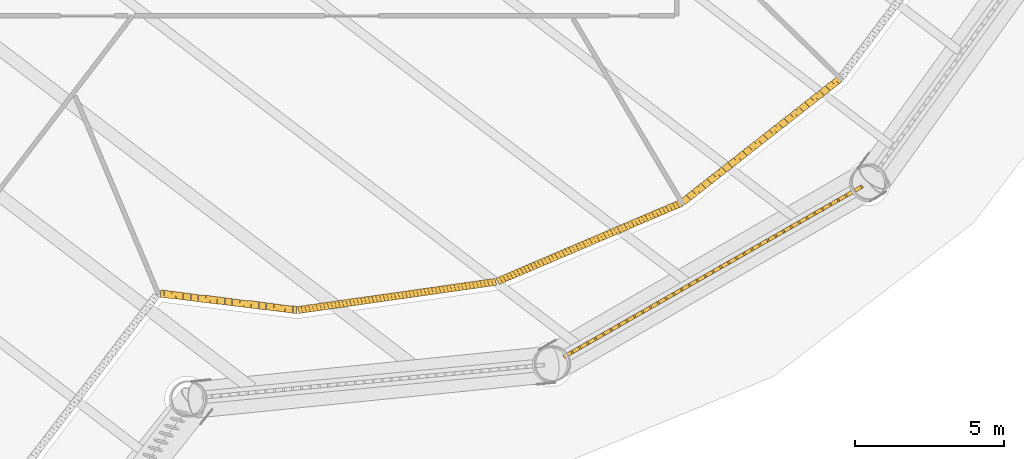
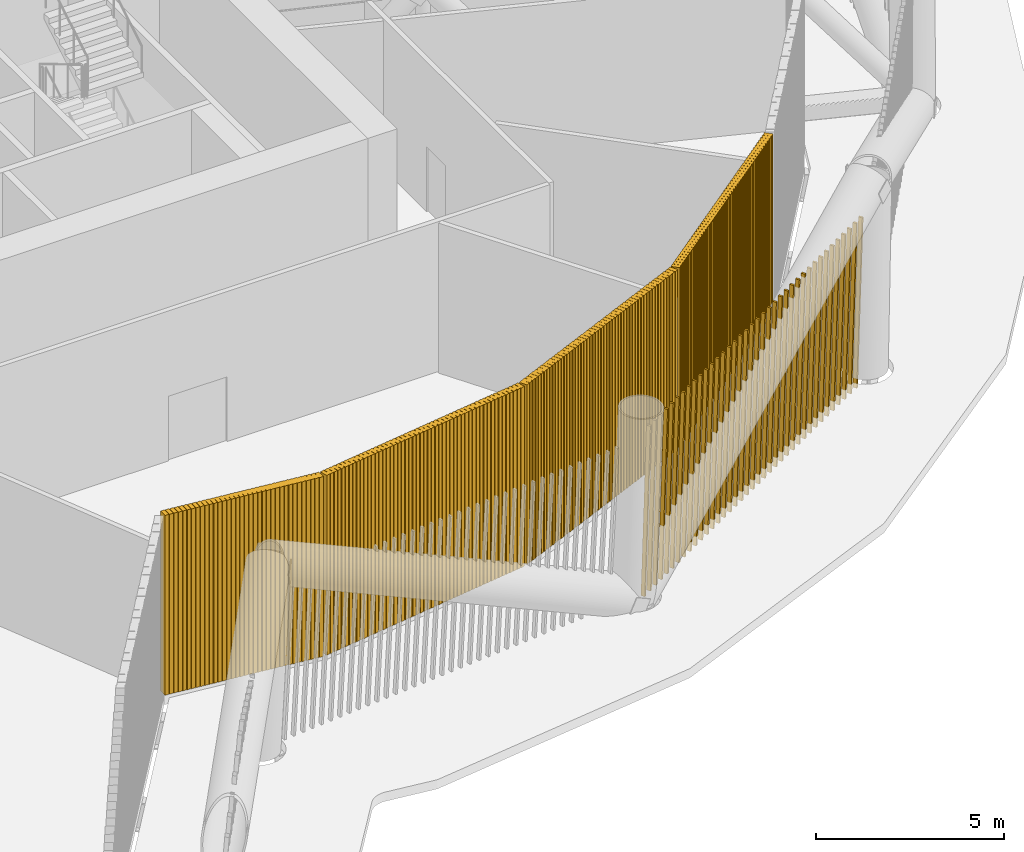
# One storey, part 38 of 48: 5 shading devices.
"""IFC4 building model written with IfcOpenShell, lengths in metres."""

import ifcopenshell
import ifcopenshell.guid

model = None  # the IFC model being written
_history = None  # IfcOwnerHistory: only IFC2X3 demands one
_inside = {}  # id of a spatial element -> (the spatial element, [elements in it])
_under = {}  # id of a project, library or spatial element -> (it, [spatial elements below it])
_declared = {}  # id of a project -> (the project, [libraries it declares])
_typed = {}  # id of a type object -> (the type object, [elements of that type])
_made_of = {}  # id of a material, layer set ... -> (it, [elements and type objects made of it])


def new_model(schema):
    """Start an empty IFC model of exactly this schema.

    Asked for "IFC4X3", IfcOpenShell would pick the latest addendum, in which some entities
    have other attributes; the version numbers below select the first issue.
    IFC2X3 requires an IfcOwnerHistory on every rooted entity: one is made here for all.
    """
    global model, _history
    if schema == "IFC4X3":
        model = ifcopenshell.file(schema_version=(4, 3, 0, 0))
    else:
        model = ifcopenshell.file(schema=schema)
    _inside.clear()
    _under.clear()
    _declared.clear()
    _typed.clear()
    _made_of.clear()
    _history = None
    if model.schema == "IFC2X3":
        org = make("IfcOrganization", Name="unknown")
        user = make(
            "IfcPersonAndOrganization",
            ThePerson=make("IfcPerson", FamilyName="unknown"),
            TheOrganization=org,
        )
        app = make(
            "IfcApplication",
            ApplicationDeveloper=org,
            Version="unknown",
            ApplicationFullName="unknown",
            ApplicationIdentifier="unknown",
        )
        _history = make(
            "IfcOwnerHistory",
            OwningUser=user,
            OwningApplication=app,
            ChangeAction="ADDED",
            CreationDate=0,
        )
    return model


def make(cls, **values):
    """One entity of the class cls with the attributes given. An attribute that is None is left unset."""
    return model.create_entity(
        cls, **{name: value for name, value in values.items() if value is not None}
    )


def rooted(cls, **values):
    """An entity with a GlobalId (a new one), such as an element, a storey or a relation."""
    return make(cls, GlobalId=ifcopenshell.guid.new(), OwnerHistory=_history, **values)


def si_unit(unit_type, name, prefix=None):
    """IfcSIUnit, for example si_unit("LENGTHUNIT", "METRE", prefix="MILLI")."""
    return make("IfcSIUnit", UnitType=unit_type, Prefix=prefix, Name=name)


def assignment(units):
    """IfcUnitAssignment: the units of a project."""
    return None if units is None else make("IfcUnitAssignment", Units=units)


def point(xyz):
    """IfcCartesianPoint."""
    return None if xyz is None else make("IfcCartesianPoint", Coordinates=xyz)


def direction(xyz):
    """IfcDirection."""
    return None if xyz is None else make("IfcDirection", DirectionRatios=xyz)


def frame(location, z_axis=None, x_axis=None):
    """IfcAxis2Placement3D, a coordinate frame: its origin and axes. An axis left out is left unset."""
    return make(
        "IfcAxis2Placement3D",
        Location=point(location),
        Axis=direction(z_axis),
        RefDirection=direction(x_axis),
    )


def frame_2d(location, x_axis=None):
    """IfcAxis2Placement2D, a coordinate frame in the plane: its origin and x axis."""
    return make(
        "IfcAxis2Placement2D", Location=point(location), RefDirection=direction(x_axis)
    )


def origin():
    """The frame at (0, 0, 0) with its axes left unset."""
    return frame((0.0, 0.0, 0.0))


def place(relative_to, where):
    """IfcLocalPlacement: puts the frame where relative to a parent placement (None: the world)."""
    return make(
        "IfcLocalPlacement", PlacementRelTo=relative_to, RelativePlacement=where
    )


def context(
    kind, dimensions, precision=None, world=None, true_north=None, identifier=None
):
    """IfcGeometricRepresentationContext, for example the 3D "Model" context."""
    return make(
        "IfcGeometricRepresentationContext",
        ContextIdentifier=identifier,
        ContextType=kind,
        CoordinateSpaceDimension=dimensions,
        Precision=precision,
        WorldCoordinateSystem=world,
        TrueNorth=true_north,
    )


def subcontext(parent, identifier, kind, view, scale=None):
    """IfcGeometricRepresentationSubContext, for example "Body" below "Model"."""
    return make(
        "IfcGeometricRepresentationSubContext",
        ContextIdentifier=identifier,
        ContextType=kind,
        ParentContext=parent,
        TargetScale=scale,
        TargetView=view,
    )


def project(units=None, contexts=None):
    """IfcProject with its units and contexts."""
    return rooted(
        "IfcProject",
        Name="project",
        RepresentationContexts=contexts,
        UnitsInContext=assignment(units),
    )


def spatial(cls, under=None, at=None, **own):
    """A site, building, storey or space (cls), placed at a placement, below another one or the project."""
    s = rooted(cls, ObjectPlacement=at, **own)
    if under is not None:
        _under.setdefault(under.id(), (under, []))[1].append(s)
    return s


def profile(cls, at=None, kind="AREA", **sizes):
    """A parametric profile (cls). Its sizes go by their IFC names, for example OverallWidth=200.0."""
    return make(cls, ProfileType=kind, Position=at, **sizes)


def rectangle(**sizes):
    """IfcRectangleProfileDef."""
    return profile("IfcRectangleProfileDef", **sizes)


def composite_profile(profiles, kind="AREA"):
    """IfcCompositeProfileDef: several profiles as one."""
    return make("IfcCompositeProfileDef", ProfileType=kind, Profiles=profiles)


def extrude(swept, where, along, depth):
    """IfcExtrudedAreaSolid: the profile swept, set in the frame where, extruded along a direction by depth."""
    return make(
        "IfcExtrudedAreaSolid",
        SweptArea=swept,
        Position=where,
        ExtrudedDirection=direction(along),
        Depth=depth,
    )


def shape(context_of_items, identifier, shape_type, items):
    """IfcShapeRepresentation: the items that make up one representation, for example the "Body"."""
    return make(
        "IfcShapeRepresentation",
        ContextOfItems=context_of_items,
        RepresentationIdentifier=identifier,
        RepresentationType=shape_type,
        Items=items,
    )


def material(Name=None, Category=None):
    """IfcMaterial."""
    return make("IfcMaterial", Name=Name, Category=Category)


def made_of(thing, what):
    """Note that an element or type object is made of a material, layer set ...; save() writes the relation."""
    if what is not None:
        _made_of.setdefault(what.id(), (what, []))[1].append(thing)
    return thing


def type_object(cls, material=None, **own):
    """A type object (cls), such as IfcWallType, which elements share."""
    return made_of(rooted(cls, **own), material)


def element(
    cls,
    number,
    at=None,
    inside=None,
    cuts=None,
    type_object=None,
    material=None,
    context=None,
    identifier="Body",
    shape_type=None,
    held_by="IfcProductDefinitionShape",
    body=None,
    shapes=None,
    **own,
):
    """One element of the class cls, such as IfcWall. Its Tag is "e" and its number.

    at: its placement. inside: the storey or other place that contains it. cuts: it is an
    opening in that element (IfcRelVoidsElement). A single representation is given by context,
    identifier, shape_type and body (its items); several are given by shapes. held_by: the class
    of the entity that holds the representations. save() writes the other relations.
    """
    e = rooted(cls, Tag="e%d" % number, ObjectPlacement=at, **own)
    if body is not None:
        shapes = [shape(context, identifier, shape_type, body)]
    if shapes is not None:
        e.Representation = make(held_by, Representations=shapes)
    if inside is not None:
        _inside.setdefault(inside.id(), (inside, []))[1].append(e)
    if cuts is not None:
        rooted(
            "IfcRelVoidsElement", RelatingBuildingElement=cuts, RelatedOpeningElement=e
        )
    if type_object is not None:
        _typed.setdefault(type_object.id(), (type_object, []))[1].append(e)
    return made_of(e, material)


def aggregate(whole, parts):
    """IfcRelAggregates: a whole, such as a stair, and the parts it consists of."""
    return rooted("IfcRelAggregates", RelatingObject=whole, RelatedObjects=parts)


def save(model, path):
    """Write the relations noted so far, then the file.

    IfcRelAggregates (storeys below a building ...), IfcRelContainedInSpatialStructure (elements
    in a storey), IfcRelDefinesByType, IfcRelAssociatesMaterial and IfcRelDeclares: one each for
    every whole, place, type object, material and project.
    """
    for whole, parts in _under.values():
        aggregate(whole, parts)
    for where, things in _inside.values():
        rooted(
            "IfcRelContainedInSpatialStructure",
            RelatedElements=things,
            RelatingStructure=where,
        )
    for kind, things in _typed.values():
        rooted("IfcRelDefinesByType", RelatedObjects=things, RelatingType=kind)
    for what, things in _made_of.values():
        rooted("IfcRelAssociatesMaterial", RelatedObjects=things, RelatingMaterial=what)
    for by, libraries in _declared.values():
        rooted("IfcRelDeclares", RelatingContext=by, RelatedDefinitions=libraries)
    model.write(path)


model = new_model("IFC4")

# Units and contexts
model_context = context("Model", 3, precision=1e-05, world=origin(), true_north=direction((0.0, 1.0)))
body_context = subcontext(model_context, "Body", "Model", "MODEL_VIEW")
ifc_project = project(units=[si_unit("LENGTHUNIT", "METRE"), si_unit("AREAUNIT", "SQUARE_METRE"), si_unit("VOLUMEUNIT", "CUBIC_METRE"), si_unit("PLANEANGLEUNIT", "RADIAN"), si_unit("MASSUNIT", "GRAM", prefix="KILO")], contexts=[model_context])

# Site, building, storey
site_placement = place(None, origin())
site = spatial("IfcSite", under=ifc_project, at=site_placement, CompositionType="ELEMENT")
building_placement = place(site_placement, origin())
building = spatial("IfcBuilding", under=site, at=building_placement, Name="Tarsis Ring Headquarters", CompositionType="ELEMENT")
storey_placement = place(building_placement, frame((0.0, 0.0, 34.0)))
storey = spatial("IfcBuildingStorey", under=building, at=storey_placement, Name="L06", CompositionType="ELEMENT", Elevation=34.0)

# Shading devices
ifc_material_1 = material(Name="Aluminium louvre", Category="aluminium")
shading_device_type_1 = type_object("IfcShadingDeviceType", Name="Plant louvre fin", PredefinedType="USERDEFINED", material=ifc_material_1)
shading_device_1_placement = place(storey_placement, frame((-4.329833984375, -25.315673828125, 0.0), z_axis=(0.0, 0.0, 1.0), x_axis=(0.992757071108, -0.120169177901, 0.0)))
element("IfcShadingDevice", 1, at=shading_device_1_placement, inside=storey, type_object=shading_device_type_1, Name="Louvre L06-17", ObjectType="Louvre", PredefinedType="USERDEFINED", context=body_context, shape_type="SweptSolid", body=[
    extrude(composite_profile([rectangle(XDim=0.1201171875, YDim=0.239990234375, at=frame_2d((0.076171875, 0.0), x_axis=(0.990268068742, 0.13917310096))), rectangle(XDim=0.1201171875, YDim=0.239990234375, at=frame_2d((0.203857421875, 0.0), x_axis=(0.990268068742, 0.13917310096))), rectangle(XDim=0.1201171875, YDim=0.239990234375, at=frame_2d((0.331298828125, 0.0), x_axis=(0.990268068742, 0.13917310096))), rectangle(XDim=0.1201171875, YDim=0.239990234375, at=frame_2d((0.458984375, 0.0), x_axis=(0.990268068742, 0.13917310096))), rectangle(XDim=0.1201171875, YDim=0.239990234375, at=frame_2d((0.58642578125, 0.0), x_axis=(0.990268068742, 0.13917310096))), rectangle(XDim=0.1201171875, YDim=0.239990234375, at=frame_2d((0.714111328125, 0.0), x_axis=(0.990268068742, 0.13917310096))), rectangle(XDim=0.1201171875, YDim=0.239990234375, at=frame_2d((0.841796875, 0.0), x_axis=(0.990268068742, 0.13917310096))), rectangle(XDim=0.1201171875, YDim=0.239990234375, at=frame_2d((0.96923828125, 0.0), x_axis=(0.990268068742, 0.13917310096))), rectangle(XDim=0.1201171875, YDim=0.239990234375, at=frame_2d((1.096923828125, 0.0), x_axis=(0.990268068742, 0.13917310096))), rectangle(XDim=0.1201171875, YDim=0.239990234375, at=frame_2d((1.224365234375, 0.0), x_axis=(0.990268068742, 0.13917310096))), rectangle(XDim=0.1201171875, YDim=0.239990234375, at=frame_2d((1.35205078125, 0.0), x_axis=(0.990268068742, 0.13917310096))), rectangle(XDim=0.1201171875, YDim=0.239990234375, at=frame_2d((1.479736328125, 0.0), x_axis=(0.990268068742, 0.13917310096))), rectangle(XDim=0.1201171875, YDim=0.239990234375, at=frame_2d((1.607177734375, 0.0), x_axis=(0.990268068742, 0.13917310096))), rectangle(XDim=0.1201171875, YDim=0.239990234375, at=frame_2d((1.73486328125, 0.0), x_axis=(0.990268068742, 0.13917310096))), rectangle(XDim=0.1201171875, YDim=0.239990234375, at=frame_2d((1.8623046875, 0.0), x_axis=(0.990268068742, 0.13917310096))), rectangle(XDim=0.1201171875, YDim=0.239990234375, at=frame_2d((1.989990234375, 0.0), x_axis=(0.990268068742, 0.13917310096))), rectangle(XDim=0.1201171875, YDim=0.239990234375, at=frame_2d((2.11767578125, 0.0), x_axis=(0.990268068742, 0.13917310096))), rectangle(XDim=0.1201171875, YDim=0.239990234375, at=frame_2d((2.2451171875, 0.0), x_axis=(0.990268068742, 0.13917310096))), rectangle(XDim=0.1201171875, YDim=0.239990234375, at=frame_2d((2.372802734375, 0.0), x_axis=(0.990268068742, 0.13917310096))), rectangle(XDim=0.1201171875, YDim=0.239990234375, at=frame_2d((2.500244140625, 0.0), x_axis=(0.990268068742, 0.13917310096))), rectangle(XDim=0.1201171875, YDim=0.239990234375, at=frame_2d((2.6279296875, 0.0), x_axis=(0.990268068742, 0.13917310096))), rectangle(XDim=0.1201171875, YDim=0.239990234375, at=frame_2d((2.755615234375, 0.0), x_axis=(0.990268068742, 0.13917310096))), rectangle(XDim=0.1201171875, YDim=0.239990234375, at=frame_2d((2.883056640625, 0.0), x_axis=(0.990268068742, 0.13917310096))), rectangle(XDim=0.1201171875, YDim=0.239990234375, at=frame_2d((3.0107421875, 0.0), x_axis=(0.990268068742, 0.13917310096))), rectangle(XDim=0.1201171875, YDim=0.239990234375, at=frame_2d((3.13818359375, 0.0), x_axis=(0.990268068742, 0.13917310096))), rectangle(XDim=0.1201171875, YDim=0.239990234375, at=frame_2d((3.265869140625, 0.0), x_axis=(0.990268068742, 0.13917310096))), rectangle(XDim=0.1201171875, YDim=0.239990234375, at=frame_2d((3.3935546875, 0.0), x_axis=(0.990268068742, 0.13917310096))), rectangle(XDim=0.1201171875, YDim=0.239990234375, at=frame_2d((3.52099609375, 0.0), x_axis=(0.990268068742, 0.13917310096))), rectangle(XDim=0.1201171875, YDim=0.239990234375, at=frame_2d((3.648681640625, 0.0), x_axis=(0.990268068742, 0.13917310096))), rectangle(XDim=0.1201171875, YDim=0.239990234375, at=frame_2d((3.776123046875, 0.0), x_axis=(0.990268068742, 0.13917310096))), rectangle(XDim=0.1201171875, YDim=0.239990234375, at=frame_2d((3.90380859375, 0.0), x_axis=(0.990268068742, 0.13917310096))), rectangle(XDim=0.1201171875, YDim=0.239990234375, at=frame_2d((4.031494140625, 0.0), x_axis=(0.990268068742, 0.13917310096))), rectangle(XDim=0.1201171875, YDim=0.239990234375, at=frame_2d((4.158935546875, 0.0), x_axis=(0.990268068742, 0.13917310096))), rectangle(XDim=0.1201171875, YDim=0.239990234375, at=frame_2d((4.28662109375, 0.0), x_axis=(0.990268068742, 0.13917310096))), rectangle(XDim=0.1201171875, YDim=0.239990234375, at=frame_2d((4.4140625, 0.0), x_axis=(0.990268068742, 0.13917310096))), rectangle(XDim=0.1201171875, YDim=0.239990234375, at=frame_2d((4.541748046875, 0.0), x_axis=(0.990268068742, 0.13917310096)))]), origin(), (0.0, 0.0, 1.0), 5.840087890625),
])
shading_device_2_placement = place(storey_placement, frame((0.287353515625, -25.8701171875, 0.0), z_axis=(0.0, 0.0, 1.0), x_axis=(0.990011260034, 0.140895717555, 0.0)))
element("IfcShadingDevice", 2, at=shading_device_2_placement, inside=storey, type_object=shading_device_type_1, Name="Louvre L06-18", ObjectType="Louvre", PredefinedType="USERDEFINED", context=body_context, shape_type="SweptSolid", body=[
    extrude(composite_profile([rectangle(XDim=0.1201171875, YDim=0.239990234375, at=frame_2d((0.076171875, 0.0), x_axis=(0.990268068742, 0.13917310096))), rectangle(XDim=0.1201171875, YDim=0.239990234375, at=frame_2d((0.202392578125, 0.0), x_axis=(0.990268068742, 0.13917310096))), rectangle(XDim=0.1201171875, YDim=0.239990234375, at=frame_2d((0.328857421875, 0.0), x_axis=(0.990268068742, 0.13917310096))), rectangle(XDim=0.1201171875, YDim=0.239990234375, at=frame_2d((0.455078125, 0.0), x_axis=(0.990268068742, 0.13917310096))), rectangle(XDim=0.1201171875, YDim=0.239990234375, at=frame_2d((0.58154296875, 0.0), x_axis=(0.990268068742, 0.13917310096))), rectangle(XDim=0.1201171875, YDim=0.239990234375, at=frame_2d((0.707763671875, 0.0), x_axis=(0.990268068742, 0.13917310096))), rectangle(XDim=0.1201171875, YDim=0.239990234375, at=frame_2d((0.834228515625, 0.0), x_axis=(0.990268068742, 0.13917310096))), rectangle(XDim=0.1201171875, YDim=0.239990234375, at=frame_2d((0.96044921875, 0.0), x_axis=(0.990268068742, 0.13917310096))), rectangle(XDim=0.1201171875, YDim=0.239990234375, at=frame_2d((1.0869140625, 0.0), x_axis=(0.990268068742, 0.13917310096))), rectangle(XDim=0.1201171875, YDim=0.239990234375, at=frame_2d((1.213134765625, 0.0), x_axis=(0.990268068742, 0.13917310096))), rectangle(XDim=0.1201171875, YDim=0.239990234375, at=frame_2d((1.33935546875, 0.0), x_axis=(0.990268068742, 0.13917310096))), rectangle(XDim=0.1201171875, YDim=0.239990234375, at=frame_2d((1.4658203125, 0.0), x_axis=(0.990268068742, 0.13917310096))), rectangle(XDim=0.1201171875, YDim=0.239990234375, at=frame_2d((1.592041015625, 0.0), x_axis=(0.990268068742, 0.13917310096))), rectangle(XDim=0.1201171875, YDim=0.239990234375, at=frame_2d((1.718505859375, 0.0), x_axis=(0.990268068742, 0.13917310096))), rectangle(XDim=0.1201171875, YDim=0.239990234375, at=frame_2d((1.8447265625, 0.0), x_axis=(0.990268068742, 0.13917310096))), rectangle(XDim=0.1201171875, YDim=0.239990234375, at=frame_2d((1.97119140625, 0.0), x_axis=(0.990268068742, 0.13917310096))), rectangle(XDim=0.1201171875, YDim=0.239990234375, at=frame_2d((2.097412109375, 0.0), x_axis=(0.990268068742, 0.13917310096))), rectangle(XDim=0.1201171875, YDim=0.239990234375, at=frame_2d((2.223876953125, 0.0), x_axis=(0.990268068742, 0.13917310096))), rectangle(XDim=0.1201171875, YDim=0.239990234375, at=frame_2d((2.35009765625, 0.0), x_axis=(0.990268068742, 0.13917310096))), rectangle(XDim=0.1201171875, YDim=0.239990234375, at=frame_2d((2.476318359375, 0.0), x_axis=(0.990268068742, 0.13917310096))), rectangle(XDim=0.1201171875, YDim=0.239990234375, at=frame_2d((2.602783203125, 0.0), x_axis=(0.990268068742, 0.13917310096))), rectangle(XDim=0.1201171875, YDim=0.239990234375, at=frame_2d((2.72900390625, 0.0), x_axis=(0.990268068742, 0.13917310096))), rectangle(XDim=0.1201171875, YDim=0.239990234375, at=frame_2d((2.85546875, 0.0), x_axis=(0.990268068742, 0.13917310096))), rectangle(XDim=0.1201171875, YDim=0.239990234375, at=frame_2d((2.981689453125, 0.0), x_axis=(0.990268068742, 0.13917310096))), rectangle(XDim=0.1201171875, YDim=0.239990234375, at=frame_2d((3.108154296875, 0.0), x_axis=(0.990268068742, 0.13917310096))), rectangle(XDim=0.1201171875, YDim=0.239990234375, at=frame_2d((3.234375, 0.0), x_axis=(0.990268068742, 0.13917310096))), rectangle(XDim=0.1201171875, YDim=0.239990234375, at=frame_2d((3.36083984375, 0.0), x_axis=(0.990268068742, 0.13917310096))), rectangle(XDim=0.1201171875, YDim=0.239990234375, at=frame_2d((3.487060546875, 0.0), x_axis=(0.990268068742, 0.13917310096))), rectangle(XDim=0.1201171875, YDim=0.239990234375, at=frame_2d((3.61328125, 0.0), x_axis=(0.990268068742, 0.13917310096))), rectangle(XDim=0.1201171875, YDim=0.239990234375, at=frame_2d((3.73974609375, 0.0), x_axis=(0.990268068742, 0.13917310096))), rectangle(XDim=0.1201171875, YDim=0.239990234375, at=frame_2d((3.865966796875, 0.0), x_axis=(0.990268068742, 0.13917310096))), rectangle(XDim=0.1201171875, YDim=0.239990234375, at=frame_2d((3.992431640625, 0.0), x_axis=(0.990268068742, 0.13917310096))), rectangle(XDim=0.1201171875, YDim=0.239990234375, at=frame_2d((4.11865234375, 0.0), x_axis=(0.990268068742, 0.13917310096))), rectangle(XDim=0.1201171875, YDim=0.239990234375, at=frame_2d((4.2451171875, 0.0), x_axis=(0.990268068742, 0.13917310096))), rectangle(XDim=0.1201171875, YDim=0.239990234375, at=frame_2d((4.371337890625, 0.0), x_axis=(0.990268068742, 0.13917310096))), rectangle(XDim=0.1201171875, YDim=0.239990234375, at=frame_2d((4.49755859375, 0.0), x_axis=(0.990268068742, 0.13917310096))), rectangle(XDim=0.1201171875, YDim=0.239990234375, at=frame_2d((4.6240234375, 0.0), x_axis=(0.990268068742, 0.13917310096))), rectangle(XDim=0.1201171875, YDim=0.239990234375, at=frame_2d((4.750244140625, 0.0), x_axis=(0.990268068742, 0.13917310096))), rectangle(XDim=0.1201171875, YDim=0.239990234375, at=frame_2d((4.876708984375, 0.0), x_axis=(0.990268068742, 0.13917310096))), rectangle(XDim=0.1201171875, YDim=0.239990234375, at=frame_2d((5.0029296875, 0.0), x_axis=(0.990268068742, 0.13917310096))), rectangle(XDim=0.1201171875, YDim=0.239990234375, at=frame_2d((5.12939453125, 0.0), x_axis=(0.990268068742, 0.13917310096))), rectangle(XDim=0.1201171875, YDim=0.239990234375, at=frame_2d((5.255615234375, 0.0), x_axis=(0.990268068742, 0.13917310096))), rectangle(XDim=0.1201171875, YDim=0.239990234375, at=frame_2d((5.382080078125, 0.0), x_axis=(0.990268068742, 0.13917310096))), rectangle(XDim=0.1201171875, YDim=0.239990234375, at=frame_2d((5.50830078125, 0.0), x_axis=(0.990268068742, 0.13917310096))), rectangle(XDim=0.1201171875, YDim=0.239990234375, at=frame_2d((5.634521484375, 0.0), x_axis=(0.990268068742, 0.13917310096))), rectangle(XDim=0.1201171875, YDim=0.239990234375, at=frame_2d((5.760986328125, 0.0), x_axis=(0.990268068742, 0.13917310096))), rectangle(XDim=0.1201171875, YDim=0.239990234375, at=frame_2d((5.88720703125, 0.0), x_axis=(0.990268068742, 0.13917310096))), rectangle(XDim=0.1201171875, YDim=0.239990234375, at=frame_2d((6.013671875, 0.0), x_axis=(0.990268068742, 0.13917310096))), rectangle(XDim=0.1201171875, YDim=0.239990234375, at=frame_2d((6.139892578125, 0.0), x_axis=(0.990268068742, 0.13917310096))), rectangle(XDim=0.1201171875, YDim=0.239990234375, at=frame_2d((6.266357421875, 0.0), x_axis=(0.990268068742, 0.13917310096))), rectangle(XDim=0.1201171875, YDim=0.239990234375, at=frame_2d((6.392578125, 0.0), x_axis=(0.990268068742, 0.13917310096))), rectangle(XDim=0.1201171875, YDim=0.239990234375, at=frame_2d((6.51904296875, 0.0), x_axis=(0.990268068742, 0.13917310096))), rectangle(XDim=0.1201171875, YDim=0.239990234375, at=frame_2d((6.645263671875, 0.0), x_axis=(0.990268068742, 0.13917310096)))]), origin(), (0.0, 0.0, 1.0), 5.840087890625),
])
shading_device_3_placement = place(storey_placement, frame((6.97314453125, -24.914306640625, 0.0), z_axis=(0.0, 0.0, 1.0), x_axis=(0.919835821438, 0.392321383168, 0.0)))
element("IfcShadingDevice", 3, at=shading_device_3_placement, inside=storey, type_object=shading_device_type_1, Name="Louvre L06-19", ObjectType="Louvre", PredefinedType="USERDEFINED", context=body_context, shape_type="SweptSolid", body=[
    extrude(composite_profile([rectangle(XDim=0.1201171875, YDim=0.239990234375, at=frame_2d((0.076171875, 0.0), x_axis=(0.990268068742, 0.13917310096))), rectangle(XDim=0.1201171875, YDim=0.239990234375, at=frame_2d((0.202392578125, 0.0), x_axis=(0.990268068742, 0.13917310096))), rectangle(XDim=0.1201171875, YDim=0.239990234375, at=frame_2d((0.328857421875, 0.0), x_axis=(0.990268068742, 0.13917310096))), rectangle(XDim=0.1201171875, YDim=0.239990234375, at=frame_2d((0.455078125, 0.0), x_axis=(0.990268068742, 0.13917310096))), rectangle(XDim=0.1201171875, YDim=0.239990234375, at=frame_2d((0.58154296875, 0.0), x_axis=(0.990268068742, 0.13917310096))), rectangle(XDim=0.1201171875, YDim=0.239990234375, at=frame_2d((0.707763671875, 0.0), x_axis=(0.990268068742, 0.13917310096))), rectangle(XDim=0.1201171875, YDim=0.239990234375, at=frame_2d((0.834228515625, 0.0), x_axis=(0.990268068742, 0.13917310096))), rectangle(XDim=0.1201171875, YDim=0.239990234375, at=frame_2d((0.96044921875, 0.0), x_axis=(0.990268068742, 0.13917310096))), rectangle(XDim=0.1201171875, YDim=0.239990234375, at=frame_2d((1.0869140625, 0.0), x_axis=(0.990268068742, 0.13917310096))), rectangle(XDim=0.1201171875, YDim=0.239990234375, at=frame_2d((1.213134765625, 0.0), x_axis=(0.990268068742, 0.13917310096))), rectangle(XDim=0.1201171875, YDim=0.239990234375, at=frame_2d((1.33935546875, 0.0), x_axis=(0.990268068742, 0.13917310096))), rectangle(XDim=0.1201171875, YDim=0.239990234375, at=frame_2d((1.4658203125, 0.0), x_axis=(0.990268068742, 0.13917310096))), rectangle(XDim=0.1201171875, YDim=0.239990234375, at=frame_2d((1.592041015625, 0.0), x_axis=(0.990268068742, 0.13917310096))), rectangle(XDim=0.1201171875, YDim=0.239990234375, at=frame_2d((1.718505859375, 0.0), x_axis=(0.990268068742, 0.13917310096))), rectangle(XDim=0.1201171875, YDim=0.239990234375, at=frame_2d((1.8447265625, 0.0), x_axis=(0.990268068742, 0.13917310096))), rectangle(XDim=0.1201171875, YDim=0.239990234375, at=frame_2d((1.97119140625, 0.0), x_axis=(0.990268068742, 0.13917310096))), rectangle(XDim=0.1201171875, YDim=0.239990234375, at=frame_2d((2.097412109375, 0.0), x_axis=(0.990268068742, 0.13917310096))), rectangle(XDim=0.1201171875, YDim=0.239990234375, at=frame_2d((2.223876953125, 0.0), x_axis=(0.990268068742, 0.13917310096))), rectangle(XDim=0.1201171875, YDim=0.239990234375, at=frame_2d((2.35009765625, 0.0), x_axis=(0.990268068742, 0.13917310096))), rectangle(XDim=0.1201171875, YDim=0.239990234375, at=frame_2d((2.476318359375, 0.0), x_axis=(0.990268068742, 0.13917310096))), rectangle(XDim=0.1201171875, YDim=0.239990234375, at=frame_2d((2.602783203125, 0.0), x_axis=(0.990268068742, 0.13917310096))), rectangle(XDim=0.1201171875, YDim=0.239990234375, at=frame_2d((2.72900390625, 0.0), x_axis=(0.990268068742, 0.13917310096))), rectangle(XDim=0.1201171875, YDim=0.239990234375, at=frame_2d((2.85546875, 0.0), x_axis=(0.990268068742, 0.13917310096))), rectangle(XDim=0.1201171875, YDim=0.239990234375, at=frame_2d((2.981689453125, 0.0), x_axis=(0.990268068742, 0.13917310096))), rectangle(XDim=0.1201171875, YDim=0.239990234375, at=frame_2d((3.108154296875, 0.0), x_axis=(0.990268068742, 0.13917310096))), rectangle(XDim=0.1201171875, YDim=0.239990234375, at=frame_2d((3.234375, 0.0), x_axis=(0.990268068742, 0.13917310096))), rectangle(XDim=0.1201171875, YDim=0.239990234375, at=frame_2d((3.36083984375, 0.0), x_axis=(0.990268068742, 0.13917310096))), rectangle(XDim=0.1201171875, YDim=0.239990234375, at=frame_2d((3.487060546875, 0.0), x_axis=(0.990268068742, 0.13917310096))), rectangle(XDim=0.1201171875, YDim=0.239990234375, at=frame_2d((3.61328125, 0.0), x_axis=(0.990268068742, 0.13917310096))), rectangle(XDim=0.1201171875, YDim=0.239990234375, at=frame_2d((3.73974609375, 0.0), x_axis=(0.990268068742, 0.13917310096))), rectangle(XDim=0.1201171875, YDim=0.239990234375, at=frame_2d((3.865966796875, 0.0), x_axis=(0.990268068742, 0.13917310096))), rectangle(XDim=0.1201171875, YDim=0.239990234375, at=frame_2d((3.992431640625, 0.0), x_axis=(0.990268068742, 0.13917310096))), rectangle(XDim=0.1201171875, YDim=0.239990234375, at=frame_2d((4.11865234375, 0.0), x_axis=(0.990268068742, 0.13917310096))), rectangle(XDim=0.1201171875, YDim=0.239990234375, at=frame_2d((4.2451171875, 0.0), x_axis=(0.990268068742, 0.13917310096))), rectangle(XDim=0.1201171875, YDim=0.239990234375, at=frame_2d((4.371337890625, 0.0), x_axis=(0.990268068742, 0.13917310096))), rectangle(XDim=0.1201171875, YDim=0.239990234375, at=frame_2d((4.49755859375, 0.0), x_axis=(0.990268068742, 0.13917310096))), rectangle(XDim=0.1201171875, YDim=0.239990234375, at=frame_2d((4.6240234375, 0.0), x_axis=(0.990268068742, 0.13917310096))), rectangle(XDim=0.1201171875, YDim=0.239990234375, at=frame_2d((4.750244140625, 0.0), x_axis=(0.990268068742, 0.13917310096))), rectangle(XDim=0.1201171875, YDim=0.239990234375, at=frame_2d((4.876708984375, 0.0), x_axis=(0.990268068742, 0.13917310096))), rectangle(XDim=0.1201171875, YDim=0.239990234375, at=frame_2d((5.0029296875, 0.0), x_axis=(0.990268068742, 0.13917310096))), rectangle(XDim=0.1201171875, YDim=0.239990234375, at=frame_2d((5.12939453125, 0.0), x_axis=(0.990268068742, 0.13917310096))), rectangle(XDim=0.1201171875, YDim=0.239990234375, at=frame_2d((5.255615234375, 0.0), x_axis=(0.990268068742, 0.13917310096))), rectangle(XDim=0.1201171875, YDim=0.239990234375, at=frame_2d((5.382080078125, 0.0), x_axis=(0.990268068742, 0.13917310096))), rectangle(XDim=0.1201171875, YDim=0.239990234375, at=frame_2d((5.50830078125, 0.0), x_axis=(0.990268068742, 0.13917310096))), rectangle(XDim=0.1201171875, YDim=0.239990234375, at=frame_2d((5.634521484375, 0.0), x_axis=(0.990268068742, 0.13917310096))), rectangle(XDim=0.1201171875, YDim=0.239990234375, at=frame_2d((5.760986328125, 0.0), x_axis=(0.990268068742, 0.13917310096))), rectangle(XDim=0.1201171875, YDim=0.239990234375, at=frame_2d((5.88720703125, 0.0), x_axis=(0.990268068742, 0.13917310096))), rectangle(XDim=0.1201171875, YDim=0.239990234375, at=frame_2d((6.013671875, 0.0), x_axis=(0.990268068742, 0.13917310096))), rectangle(XDim=0.1201171875, YDim=0.239990234375, at=frame_2d((6.139892578125, 0.0), x_axis=(0.990268068742, 0.13917310096))), rectangle(XDim=0.1201171875, YDim=0.239990234375, at=frame_2d((6.266357421875, 0.0), x_axis=(0.990268068742, 0.13917310096))), rectangle(XDim=0.1201171875, YDim=0.239990234375, at=frame_2d((6.392578125, 0.0), x_axis=(0.990268068742, 0.13917310096))), rectangle(XDim=0.1201171875, YDim=0.239990234375, at=frame_2d((6.51904296875, 0.0), x_axis=(0.990268068742, 0.13917310096))), rectangle(XDim=0.1201171875, YDim=0.239990234375, at=frame_2d((6.645263671875, 0.0), x_axis=(0.990268068742, 0.13917310096)))]), origin(), (0.0, 0.0, 1.0), 5.840087890625),
])
shading_device_4_placement = place(storey_placement, frame((13.183837890625, -22.260498046875, 0.0), z_axis=(0.0, 0.0, 1.0), x_axis=(0.786931095856, 0.617013548364, 0.0)))
element("IfcShadingDevice", 4, at=shading_device_4_placement, inside=storey, type_object=shading_device_type_1, Name="Louvre L06-20", ObjectType="Louvre", PredefinedType="USERDEFINED", context=body_context, shape_type="SweptSolid", body=[
    extrude(composite_profile([rectangle(XDim=0.1201171875, YDim=0.239990234375, at=frame_2d((0.076171875, 0.0), x_axis=(0.990268068742, 0.13917310096))), rectangle(XDim=0.1201171875, YDim=0.239990234375, at=frame_2d((0.202392578125, 0.0), x_axis=(0.990268068742, 0.13917310096))), rectangle(XDim=0.1201171875, YDim=0.239990234375, at=frame_2d((0.328857421875, 0.0), x_axis=(0.990268068742, 0.13917310096))), rectangle(XDim=0.1201171875, YDim=0.239990234375, at=frame_2d((0.455078125, 0.0), x_axis=(0.990268068742, 0.13917310096))), rectangle(XDim=0.1201171875, YDim=0.239990234375, at=frame_2d((0.58154296875, 0.0), x_axis=(0.990268068742, 0.13917310096))), rectangle(XDim=0.1201171875, YDim=0.239990234375, at=frame_2d((0.707763671875, 0.0), x_axis=(0.990268068742, 0.13917310096))), rectangle(XDim=0.1201171875, YDim=0.239990234375, at=frame_2d((0.834228515625, 0.0), x_axis=(0.990268068742, 0.13917310096))), rectangle(XDim=0.1201171875, YDim=0.239990234375, at=frame_2d((0.96044921875, 0.0), x_axis=(0.990268068742, 0.13917310096))), rectangle(XDim=0.1201171875, YDim=0.239990234375, at=frame_2d((1.0869140625, 0.0), x_axis=(0.990268068742, 0.13917310096))), rectangle(XDim=0.1201171875, YDim=0.239990234375, at=frame_2d((1.213134765625, 0.0), x_axis=(0.990268068742, 0.13917310096))), rectangle(XDim=0.1201171875, YDim=0.239990234375, at=frame_2d((1.33935546875, 0.0), x_axis=(0.990268068742, 0.13917310096))), rectangle(XDim=0.1201171875, YDim=0.239990234375, at=frame_2d((1.4658203125, 0.0), x_axis=(0.990268068742, 0.13917310096))), rectangle(XDim=0.1201171875, YDim=0.239990234375, at=frame_2d((1.592041015625, 0.0), x_axis=(0.990268068742, 0.13917310096))), rectangle(XDim=0.1201171875, YDim=0.239990234375, at=frame_2d((1.718505859375, 0.0), x_axis=(0.990268068742, 0.13917310096))), rectangle(XDim=0.1201171875, YDim=0.239990234375, at=frame_2d((1.8447265625, 0.0), x_axis=(0.990268068742, 0.13917310096))), rectangle(XDim=0.1201171875, YDim=0.239990234375, at=frame_2d((1.97119140625, 0.0), x_axis=(0.990268068742, 0.13917310096))), rectangle(XDim=0.1201171875, YDim=0.239990234375, at=frame_2d((2.097412109375, 0.0), x_axis=(0.990268068742, 0.13917310096))), rectangle(XDim=0.1201171875, YDim=0.239990234375, at=frame_2d((2.223876953125, 0.0), x_axis=(0.990268068742, 0.13917310096))), rectangle(XDim=0.1201171875, YDim=0.239990234375, at=frame_2d((2.35009765625, 0.0), x_axis=(0.990268068742, 0.13917310096))), rectangle(XDim=0.1201171875, YDim=0.239990234375, at=frame_2d((2.476318359375, 0.0), x_axis=(0.990268068742, 0.13917310096))), rectangle(XDim=0.1201171875, YDim=0.239990234375, at=frame_2d((2.602783203125, 0.0), x_axis=(0.990268068742, 0.13917310096))), rectangle(XDim=0.1201171875, YDim=0.239990234375, at=frame_2d((2.72900390625, 0.0), x_axis=(0.990268068742, 0.13917310096))), rectangle(XDim=0.1201171875, YDim=0.239990234375, at=frame_2d((2.85546875, 0.0), x_axis=(0.990268068742, 0.13917310096))), rectangle(XDim=0.1201171875, YDim=0.239990234375, at=frame_2d((2.981689453125, 0.0), x_axis=(0.990268068742, 0.13917310096))), rectangle(XDim=0.1201171875, YDim=0.239990234375, at=frame_2d((3.108154296875, 0.0), x_axis=(0.990268068742, 0.13917310096))), rectangle(XDim=0.1201171875, YDim=0.239990234375, at=frame_2d((3.234375, 0.0), x_axis=(0.990268068742, 0.13917310096))), rectangle(XDim=0.1201171875, YDim=0.239990234375, at=frame_2d((3.36083984375, 0.0), x_axis=(0.990268068742, 0.13917310096))), rectangle(XDim=0.1201171875, YDim=0.239990234375, at=frame_2d((3.487060546875, 0.0), x_axis=(0.990268068742, 0.13917310096))), rectangle(XDim=0.1201171875, YDim=0.239990234375, at=frame_2d((3.61328125, 0.0), x_axis=(0.990268068742, 0.13917310096))), rectangle(XDim=0.1201171875, YDim=0.239990234375, at=frame_2d((3.73974609375, 0.0), x_axis=(0.990268068742, 0.13917310096))), rectangle(XDim=0.1201171875, YDim=0.239990234375, at=frame_2d((3.865966796875, 0.0), x_axis=(0.990268068742, 0.13917310096))), rectangle(XDim=0.1201171875, YDim=0.239990234375, at=frame_2d((3.992431640625, 0.0), x_axis=(0.990268068742, 0.13917310096))), rectangle(XDim=0.1201171875, YDim=0.239990234375, at=frame_2d((4.11865234375, 0.0), x_axis=(0.990268068742, 0.13917310096))), rectangle(XDim=0.1201171875, YDim=0.239990234375, at=frame_2d((4.2451171875, 0.0), x_axis=(0.990268068742, 0.13917310096))), rectangle(XDim=0.1201171875, YDim=0.239990234375, at=frame_2d((4.371337890625, 0.0), x_axis=(0.990268068742, 0.13917310096))), rectangle(XDim=0.1201171875, YDim=0.239990234375, at=frame_2d((4.49755859375, 0.0), x_axis=(0.990268068742, 0.13917310096))), rectangle(XDim=0.1201171875, YDim=0.239990234375, at=frame_2d((4.6240234375, 0.0), x_axis=(0.990268068742, 0.13917310096))), rectangle(XDim=0.1201171875, YDim=0.239990234375, at=frame_2d((4.750244140625, 0.0), x_axis=(0.990268068742, 0.13917310096))), rectangle(XDim=0.1201171875, YDim=0.239990234375, at=frame_2d((4.876708984375, 0.0), x_axis=(0.990268068742, 0.13917310096))), rectangle(XDim=0.1201171875, YDim=0.239990234375, at=frame_2d((5.0029296875, 0.0), x_axis=(0.990268068742, 0.13917310096))), rectangle(XDim=0.1201171875, YDim=0.239990234375, at=frame_2d((5.12939453125, 0.0), x_axis=(0.990268068742, 0.13917310096))), rectangle(XDim=0.1201171875, YDim=0.239990234375, at=frame_2d((5.255615234375, 0.0), x_axis=(0.990268068742, 0.13917310096))), rectangle(XDim=0.1201171875, YDim=0.239990234375, at=frame_2d((5.382080078125, 0.0), x_axis=(0.990268068742, 0.13917310096))), rectangle(XDim=0.1201171875, YDim=0.239990234375, at=frame_2d((5.50830078125, 0.0), x_axis=(0.990268068742, 0.13917310096))), rectangle(XDim=0.1201171875, YDim=0.239990234375, at=frame_2d((5.634521484375, 0.0), x_axis=(0.990268068742, 0.13917310096))), rectangle(XDim=0.1201171875, YDim=0.239990234375, at=frame_2d((5.760986328125, 0.0), x_axis=(0.990268068742, 0.13917310096))), rectangle(XDim=0.1201171875, YDim=0.239990234375, at=frame_2d((5.88720703125, 0.0), x_axis=(0.990268068742, 0.13917310096))), rectangle(XDim=0.1201171875, YDim=0.239990234375, at=frame_2d((6.013671875, 0.0), x_axis=(0.990268068742, 0.13917310096))), rectangle(XDim=0.1201171875, YDim=0.239990234375, at=frame_2d((6.139892578125, 0.0), x_axis=(0.990268068742, 0.13917310096))), rectangle(XDim=0.1201171875, YDim=0.239990234375, at=frame_2d((6.266357421875, 0.0), x_axis=(0.990268068742, 0.13917310096))), rectangle(XDim=0.1201171875, YDim=0.239990234375, at=frame_2d((6.392578125, 0.0), x_axis=(0.990268068742, 0.13917310096))), rectangle(XDim=0.1201171875, YDim=0.239990234375, at=frame_2d((6.51904296875, 0.0), x_axis=(0.990268068742, 0.13917310096))), rectangle(XDim=0.1201171875, YDim=0.239990234375, at=frame_2d((6.645263671875, 0.0), x_axis=(0.990268068742, 0.13917310096)))]), origin(), (0.0, 0.0, 1.0), 5.840087890625),
])
ifc_material_2 = material(Name="Terracotta baguette", Category="masonry")
shading_device_type_2 = type_object("IfcShadingDeviceType", Name="Terracotta baguette screen", PredefinedType="USERDEFINED", material=ifc_material_2)
shading_device_5_placement = place(storey_placement, frame((9.204345703125, -27.44482421875, -0.300048828125), z_axis=(0.0, 0.0, 1.0), x_axis=(0.868258274552, 0.496125881715, 0.0)))
element("IfcShadingDevice", 5, at=shading_device_5_placement, inside=storey, type_object=shading_device_type_2, Name="Baguette screen L06-08", ObjectType="Terracotta baguette screen", PredefinedType="USERDEFINED", context=body_context, shape_type="SweptSolid", body=[
    extrude(composite_profile([rectangle(XDim=0.06005859375, YDim=0.1201171875, at=frame_2d((0.030029296875, 0.0))), rectangle(XDim=0.06005859375, YDim=0.1201171875, at=frame_2d((0.33251953125, 0.0))), rectangle(XDim=0.06005859375, YDim=0.1201171875, at=frame_2d((0.634765625, 0.0))), rectangle(XDim=0.06005859375, YDim=0.1201171875, at=frame_2d((0.937255859375, 0.0))), rectangle(XDim=0.06005859375, YDim=0.1201171875, at=frame_2d((1.239501953125, 0.0))), rectangle(XDim=0.06005859375, YDim=0.1201171875, at=frame_2d((1.5419921875, 0.0))), rectangle(XDim=0.06005859375, YDim=0.1201171875, at=frame_2d((1.844482421875, 0.0))), rectangle(XDim=0.06005859375, YDim=0.1201171875, at=frame_2d((2.146728515625, 0.0))), rectangle(XDim=0.06005859375, YDim=0.1201171875, at=frame_2d((2.44921875, 0.0))), rectangle(XDim=0.06005859375, YDim=0.1201171875, at=frame_2d((2.751708984375, 0.0))), rectangle(XDim=0.06005859375, YDim=0.1201171875, at=frame_2d((3.053955078125, 0.0))), rectangle(XDim=0.06005859375, YDim=0.1201171875, at=frame_2d((3.3564453125, 0.0))), rectangle(XDim=0.06005859375, YDim=0.1201171875, at=frame_2d((3.65869140625, 0.0))), rectangle(XDim=0.06005859375, YDim=0.1201171875, at=frame_2d((3.961181640625, 0.0))), rectangle(XDim=0.06005859375, YDim=0.1201171875, at=frame_2d((4.263671875, 0.0))), rectangle(XDim=0.06005859375, YDim=0.1201171875, at=frame_2d((4.56591796875, 0.0))), rectangle(XDim=0.06005859375, YDim=0.1201171875, at=frame_2d((4.868408203125, 0.0))), rectangle(XDim=0.06005859375, YDim=0.1201171875, at=frame_2d((5.1708984375, 0.0))), rectangle(XDim=0.06005859375, YDim=0.1201171875, at=frame_2d((5.47314453125, 0.0))), rectangle(XDim=0.06005859375, YDim=0.1201171875, at=frame_2d((5.775634765625, 0.0))), rectangle(XDim=0.06005859375, YDim=0.1201171875, at=frame_2d((6.077880859375, 0.0))), rectangle(XDim=0.06005859375, YDim=0.1201171875, at=frame_2d((6.38037109375, 0.0))), rectangle(XDim=0.06005859375, YDim=0.1201171875, at=frame_2d((6.682861328125, 0.0))), rectangle(XDim=0.06005859375, YDim=0.1201171875, at=frame_2d((6.985107421875, 0.0))), rectangle(XDim=0.06005859375, YDim=0.1201171875, at=frame_2d((7.28759765625, 0.0))), rectangle(XDim=0.06005859375, YDim=0.1201171875, at=frame_2d((7.590087890625, 0.0))), rectangle(XDim=0.06005859375, YDim=0.1201171875, at=frame_2d((7.892333984375, 0.0))), rectangle(XDim=0.06005859375, YDim=0.1201171875, at=frame_2d((8.19482421875, 0.0))), rectangle(XDim=0.06005859375, YDim=0.1201171875, at=frame_2d((8.4970703125, 0.0))), rectangle(XDim=0.06005859375, YDim=0.1201171875, at=frame_2d((8.799560546875, 0.0))), rectangle(XDim=0.06005859375, YDim=0.1201171875, at=frame_2d((9.10205078125, 0.0))), rectangle(XDim=0.06005859375, YDim=0.1201171875, at=frame_2d((9.404296875, 0.0))), rectangle(XDim=0.06005859375, YDim=0.1201171875, at=frame_2d((9.706787109375, 0.0))), rectangle(XDim=0.06005859375, YDim=0.1201171875, at=frame_2d((10.00927734375, 0.0))), rectangle(XDim=0.06005859375, YDim=0.1201171875, at=frame_2d((10.3115234375, 0.0))), rectangle(XDim=0.06005859375, YDim=0.1201171875, at=frame_2d((10.614013671875, 0.0))), rectangle(XDim=0.06005859375, YDim=0.1201171875, at=frame_2d((10.916259765625, 0.0))), rectangle(XDim=0.06005859375, YDim=0.1201171875, at=frame_2d((11.21875, 0.0)))]), origin(), (0.055468271492, 0.000290472755, 0.99846040807), 5.36083984375),
])

save(model, "model.ifc")
